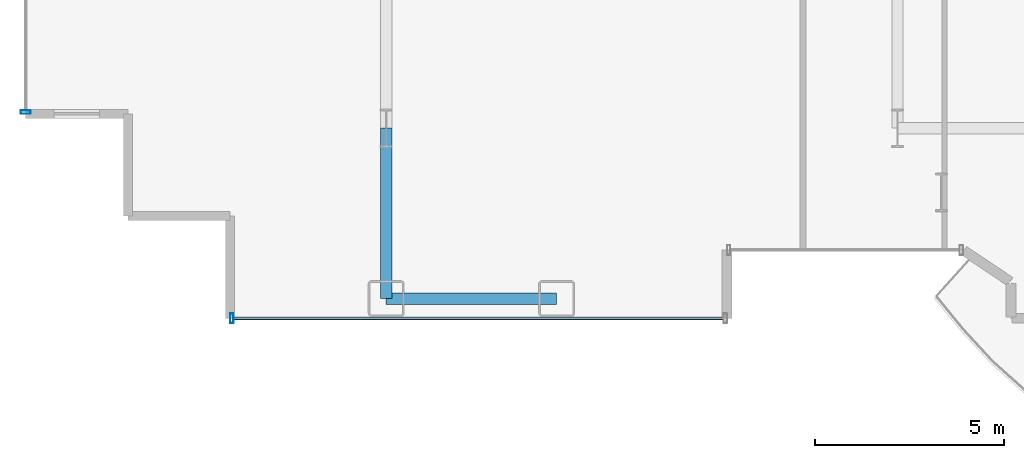
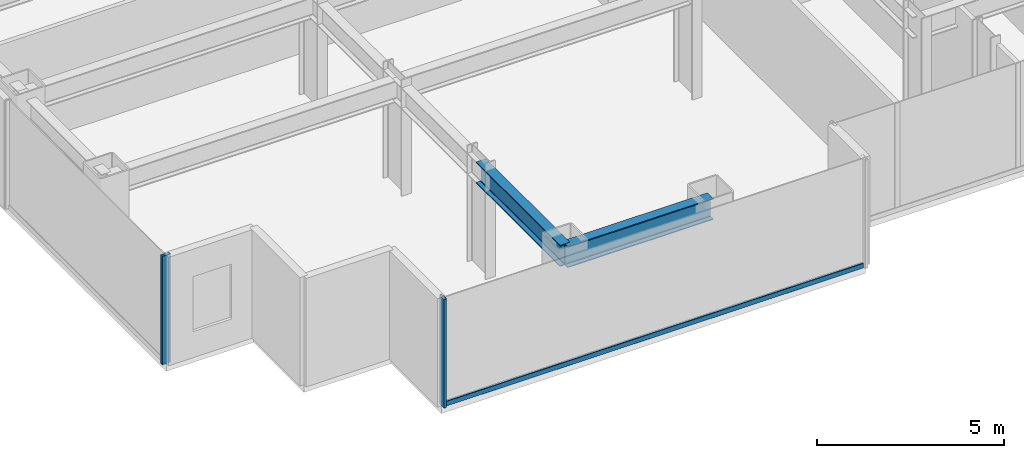
# One storey, part 2 of 29: 3 members, 2 beams, 2 elements without a shape of their own.
"""IFC4 building model written with IfcOpenShell, lengths in metres."""

from ifc_helpers import new_model, si_unit, direction, frame, origin, origin_2d, place, context, subcontext, project, spatial, hollow_rectangle, i_section, extrude, source, transform, mapped, material, layer, layer_set, material_profile, profile_set, type_object, element, aggregate, save


model = new_model("IFC4")

# Units and contexts
model_context = context("Model", 3, precision=1e-05, world=origin(), true_north=direction((0.0, 1.0)))
body_context = subcontext(model_context, "Body", "Model", "MODEL_VIEW")
ifc_project = project(units=[si_unit("LENGTHUNIT", "METRE"), si_unit("AREAUNIT", "SQUARE_METRE"), si_unit("VOLUMEUNIT", "CUBIC_METRE"), si_unit("PLANEANGLEUNIT", "RADIAN"), si_unit("MASSUNIT", "GRAM", prefix="KILO")], contexts=[model_context])

# Site, building, storey
site_placement = place(None, origin())
site = spatial("IfcSite", under=ifc_project, at=site_placement, CompositionType="ELEMENT")
building_placement = place(site_placement, origin())
building = spatial("IfcBuilding", under=site, at=building_placement, Name="Nefas-Gora Pilgrimage Tower", CompositionType="ELEMENT")
storey_placement = place(building_placement, frame((0.0, 0.0, 78.60009765625)))
storey = spatial("IfcBuildingStorey", under=building, at=storey_placement, Name="L18", CompositionType="ELEMENT", Elevation=78.60009765625)

# Beams
ifc_material_1 = material(Name="Steel S355", Category="steel")
ifc_material_profile_1 = material_profile(ifc_material_1, i_section(OverallWidth=0.300048828125, OverallDepth=0.699951171875, WebThickness=0.01708984375, FlangeThickness=0.031982421875, FilletRadius=0.027099609375, at=origin_2d()), Name="HEB 700")
ifc_profile_set_1 = profile_set([ifc_material_profile_1], Name="Steel S355")
beam_type_1 = type_object("IfcBeamType", Name="BM-SPN-HEB600", PredefinedType="SPANDREL", material=ifc_profile_set_1)
shared_shape_1 = source(origin(), body_context, "Body", "SweptSolid", [
    extrude(i_section(OverallWidth=0.300048828125, OverallDepth=0.699951171875, WebThickness=0.01708984375, FlangeThickness=0.031982421875, FilletRadius=0.027099609375, at=origin_2d()), origin(), (0.0, 0.0, 1.0), 4.5),
])
beam_1_placement = place(storey_placement, frame((-24.75, -22.5, 3.199951171875), z_axis=(1.0, 0.0, 0.0), x_axis=(0.0, 1.0, 0.0)))
element("IfcBeam", 1, at=beam_1_placement, inside=storey, type_object=beam_type_1, Name="L18 SP-01 beam", PredefinedType="SPANDREL", context=body_context, shape_type="MappedRepresentation", body=[
    mapped(shared_shape_1, transform((0.0, 0.0, 0.0), x_axis=(1.0, 0.0, 0.0), y_axis=(0.0, 1.0, 0.0), z_axis=(0.0, 0.0, 1.0), scale=1.0)),
])
ifc_material_profile_2 = material_profile(ifc_material_1, i_section(OverallWidth=0.300048828125, OverallDepth=0.699951171875, WebThickness=0.01708984375, FlangeThickness=0.031982421875, FilletRadius=0.027099609375, at=origin_2d()), Name="HEB 700")
ifc_profile_set_2 = profile_set([ifc_material_profile_2], Name="Steel S355")
beam_type_2 = type_object("IfcBeamType", Name="BM-GIR-HEB700", PredefinedType="BEAM", material=ifc_profile_set_2)
shared_shape_2 = source(origin(), body_context, "Body", "SweptSolid", [
    extrude(i_section(OverallWidth=0.300048828125, OverallDepth=0.699951171875, WebThickness=0.01708984375, FlangeThickness=0.031982421875, FilletRadius=0.027099609375, at=origin_2d()), origin(), (0.0, 0.0, 1.0), 4.5),
])
beam_2_placement = place(storey_placement, frame((-24.75, -22.5, 3.199951171875), z_axis=(0.0, 1.0, 0.0), x_axis=(-1.0, 0.0, 0.0)))
element("IfcBeam", 2, at=beam_2_placement, inside=storey, type_object=beam_type_2, Name="L18 G-02 beam", PredefinedType="BEAM", context=body_context, shape_type="MappedRepresentation", body=[
    mapped(shared_shape_2, transform((0.0, 0.0, 0.0), x_axis=(1.0, 0.0, 0.0), y_axis=(0.0, 1.0, 0.0), z_axis=(0.0, 0.0, 1.0), scale=1.0)),
])

# Curtain wall, member
ifc_material_2 = material(Name="Dark ceramic-fritted solar-control aluminium-glass curtain wall", Category="aluminium")
ifc_layer = layer(ifc_material_2, 0.219970703125)
ifc_layer_set = layer_set([ifc_layer], Name="Dark ceramic-fritted solar-control aluminium-glass curtain wall")
curtain_wall_type = type_object("IfcCurtainWallType", Name="CW-SYS-2", PredefinedType="NOTDEFINED", material=ifc_layer_set)
curtain_wall_1_placement = place(storey_placement, origin())
curtain_wall_1 = element("IfcCurtainWall", 3, at=curtain_wall_1_placement, inside=storey, type_object=curtain_wall_type, Name="L18 Unitised Curtain Wall CW2", PredefinedType="NOTDEFINED")
ifc_material_3 = material(Name="Anodised architectural aluminium", Category="aluminium")
ifc_material_profile_3 = material_profile(ifc_material_3, hollow_rectangle(XDim=0.080078125, YDim=0.159912109375, WallThickness=0.00439453125, InnerFilletRadius=0.00439453125, OuterFilletRadius=0.009033203125, at=origin_2d()), Name="ALU TRANSOM 80x160")
ifc_profile_set_3 = profile_set([ifc_material_profile_3], Name="Anodised architectural aluminium")
member_type_1 = type_object("IfcMemberType", Name="CWM-TRN-2", PredefinedType="USERDEFINED", material=ifc_profile_set_3)
shared_shape_3 = source(origin(), body_context, "Body", "SweptSolid", [
    extrude(hollow_rectangle(XDim=0.080078125, YDim=0.159912109375, WallThickness=0.00439453125, InnerFilletRadius=0.00439453125, OuterFilletRadius=0.009033203125, at=origin_2d()), origin(), (0.0, 0.0, 1.0), 12.93994140625),
])
member_1_placement = place(storey_placement, frame((-28.780029296875, -23.02001953125, 0.0498046875), z_axis=(1.0, 0.0, 0.0), x_axis=(0.0, 1.0, 0.0)))
member_1 = element("IfcMember", 4, at=member_1_placement, type_object=member_type_1, Name="CW2 Spandrel Transom", ObjectType="TRANSOM", PredefinedType="USERDEFINED", context=body_context, shape_type="MappedRepresentation", body=[
    mapped(shared_shape_3, transform((0.0, 0.0, 0.0), x_axis=(1.0, 0.0, 0.0), y_axis=(0.0, 1.0, 0.0), z_axis=(0.0, 0.0, 1.0), scale=1.0)),
])

curtain_wall_2_placement = place(storey_placement, origin())
curtain_wall_2 = element("IfcCurtainWall", 5, at=curtain_wall_2_placement, inside=storey, type_object=curtain_wall_type, Name="L18 Unitised Curtain Wall CW2", PredefinedType="NOTDEFINED")
ifc_material_profile_4 = material_profile(ifc_material_3, hollow_rectangle(XDim=0.090087890625, YDim=0.260009765625, WallThickness=0.006103515625, InnerFilletRadius=0.006103515625, OuterFilletRadius=0.011962890625, at=origin_2d()), Name="ALU MULLION 90x260")
ifc_profile_set_4 = profile_set([ifc_material_profile_4], Name="Anodised architectural aluminium")
member_type_2 = type_object("IfcMemberType", Name="CWM-MUL-2", PredefinedType="MULLION", material=ifc_profile_set_4)
shared_shape_4 = source(origin(), body_context, "Body", "SweptSolid", [
    extrude(hollow_rectangle(XDim=0.090087890625, YDim=0.260009765625, WallThickness=0.006103515625, InnerFilletRadius=0.006103515625, OuterFilletRadius=0.011962890625, at=origin_2d()), origin(), (0.0, 0.0, 1.0), 3.5498046875),
])
member_2_placement = place(storey_placement, frame((-34.27001953125, -17.574951171875, 0.0), z_axis=(0.0, 0.0, 1.0), x_axis=(0.0, -1.0, 0.0)))
member_2 = element("IfcMember", 6, at=member_2_placement, type_object=member_type_2, Name="CW2 Mullion 2", PredefinedType="MULLION", context=body_context, shape_type="MappedRepresentation", body=[
    mapped(shared_shape_4, transform((0.0, 0.0, 0.0), x_axis=(1.0, 0.0, 0.0), y_axis=(0.0, 1.0, 0.0), z_axis=(0.0, 0.0, 1.0), scale=1.0)),
])
aggregate(curtain_wall_2, [member_2])

# Member
member_3_placement = place(storey_placement, frame((-28.824951171875, -23.02001953125, 0.0), z_axis=(0.0, 0.0, 1.0), x_axis=(1.0, 0.0, 0.0)))
member_3 = element("IfcMember", 7, at=member_3_placement, type_object=member_type_2, Name="CW2 Mullion 1", PredefinedType="MULLION", context=body_context, shape_type="MappedRepresentation", body=[
    mapped(shared_shape_4, transform((0.0, 0.0, 0.0), x_axis=(1.0, 0.0, 0.0), y_axis=(0.0, 1.0, 0.0), z_axis=(0.0, 0.0, 1.0), scale=1.0)),
])

aggregate(curtain_wall_1, [member_3, member_1])

save(model, "model.ifc")
